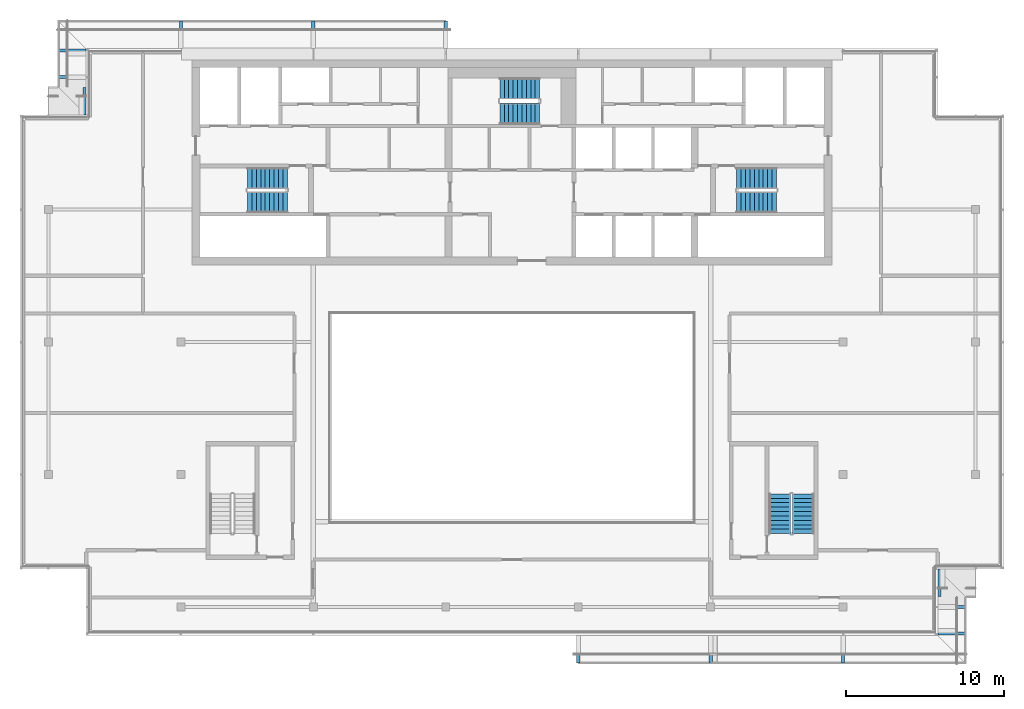
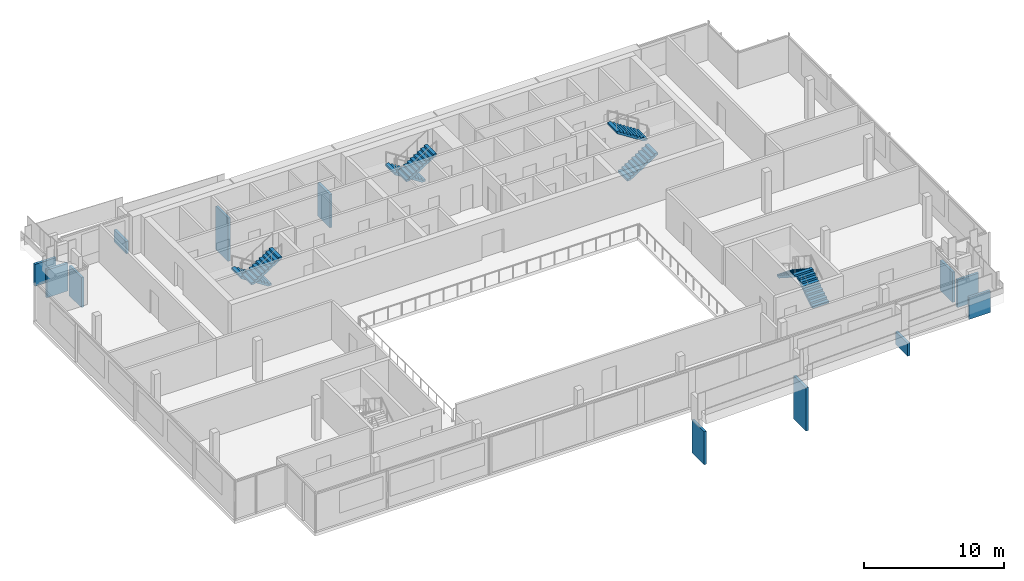
# One storey, part 16 of 21: 12 discrete accessories, 8 stair flights, 4 elements without a shape of their own.
"""IFC4 building model written with IfcOpenShell, lengths in metres."""

import ifcopenshell
import ifcopenshell.guid

model = None  # the IFC model being written
_history = None  # IfcOwnerHistory: only IFC2X3 demands one
_inside = {}  # id of a spatial element -> (the spatial element, [elements in it])
_under = {}  # id of a project, library or spatial element -> (it, [spatial elements below it])
_declared = {}  # id of a project -> (the project, [libraries it declares])
_typed = {}  # id of a type object -> (the type object, [elements of that type])
_made_of = {}  # id of a material, layer set ... -> (it, [elements and type objects made of it])


def new_model(schema):
    """Start an empty IFC model of exactly this schema.

    Asked for "IFC4X3", IfcOpenShell would pick the latest addendum, in which some entities
    have other attributes; the version numbers below select the first issue.
    IFC2X3 requires an IfcOwnerHistory on every rooted entity: one is made here for all.
    """
    global model, _history
    if schema == "IFC4X3":
        model = ifcopenshell.file(schema_version=(4, 3, 0, 0))
    else:
        model = ifcopenshell.file(schema=schema)
    _inside.clear()
    _under.clear()
    _declared.clear()
    _typed.clear()
    _made_of.clear()
    _history = None
    if model.schema == "IFC2X3":
        org = make("IfcOrganization", Name="unknown")
        user = make(
            "IfcPersonAndOrganization",
            ThePerson=make("IfcPerson", FamilyName="unknown"),
            TheOrganization=org,
        )
        app = make(
            "IfcApplication",
            ApplicationDeveloper=org,
            Version="unknown",
            ApplicationFullName="unknown",
            ApplicationIdentifier="unknown",
        )
        _history = make(
            "IfcOwnerHistory",
            OwningUser=user,
            OwningApplication=app,
            ChangeAction="ADDED",
            CreationDate=0,
        )
    return model


def make(cls, **values):
    """One entity of the class cls with the attributes given. An attribute that is None is left unset."""
    return model.create_entity(
        cls, **{name: value for name, value in values.items() if value is not None}
    )


def rooted(cls, **values):
    """An entity with a GlobalId (a new one), such as an element, a storey or a relation."""
    return make(cls, GlobalId=ifcopenshell.guid.new(), OwnerHistory=_history, **values)


def si_unit(unit_type, name, prefix=None):
    """IfcSIUnit, for example si_unit("LENGTHUNIT", "METRE", prefix="MILLI")."""
    return make("IfcSIUnit", UnitType=unit_type, Prefix=prefix, Name=name)


def assignment(units):
    """IfcUnitAssignment: the units of a project."""
    return None if units is None else make("IfcUnitAssignment", Units=units)


def point(xyz):
    """IfcCartesianPoint."""
    return None if xyz is None else make("IfcCartesianPoint", Coordinates=xyz)


def direction(xyz):
    """IfcDirection."""
    return None if xyz is None else make("IfcDirection", DirectionRatios=xyz)


def frame(location, z_axis=None, x_axis=None):
    """IfcAxis2Placement3D, a coordinate frame: its origin and axes. An axis left out is left unset."""
    return make(
        "IfcAxis2Placement3D",
        Location=point(location),
        Axis=direction(z_axis),
        RefDirection=direction(x_axis),
    )


def frame_2d(location, x_axis=None):
    """IfcAxis2Placement2D, a coordinate frame in the plane: its origin and x axis."""
    return make(
        "IfcAxis2Placement2D", Location=point(location), RefDirection=direction(x_axis)
    )


def origin():
    """The frame at (0, 0, 0) with its axes left unset."""
    return frame((0.0, 0.0, 0.0))


def origin_2d():
    """The frame at (0, 0) in the plane with its x axis left unset."""
    return frame_2d((0.0, 0.0))


def place(relative_to, where):
    """IfcLocalPlacement: puts the frame where relative to a parent placement (None: the world)."""
    return make(
        "IfcLocalPlacement", PlacementRelTo=relative_to, RelativePlacement=where
    )


def context(
    kind, dimensions, precision=None, world=None, true_north=None, identifier=None
):
    """IfcGeometricRepresentationContext, for example the 3D "Model" context."""
    return make(
        "IfcGeometricRepresentationContext",
        ContextIdentifier=identifier,
        ContextType=kind,
        CoordinateSpaceDimension=dimensions,
        Precision=precision,
        WorldCoordinateSystem=world,
        TrueNorth=true_north,
    )


def subcontext(parent, identifier, kind, view, scale=None):
    """IfcGeometricRepresentationSubContext, for example "Body" below "Model"."""
    return make(
        "IfcGeometricRepresentationSubContext",
        ContextIdentifier=identifier,
        ContextType=kind,
        ParentContext=parent,
        TargetScale=scale,
        TargetView=view,
    )


def project(units=None, contexts=None):
    """IfcProject with its units and contexts."""
    return rooted(
        "IfcProject",
        Name="project",
        RepresentationContexts=contexts,
        UnitsInContext=assignment(units),
    )


def spatial(cls, under=None, at=None, **own):
    """A site, building, storey or space (cls), placed at a placement, below another one or the project."""
    s = rooted(cls, ObjectPlacement=at, **own)
    if under is not None:
        _under.setdefault(under.id(), (under, []))[1].append(s)
    return s


def polyline(points):
    """IfcPolyline through the points."""
    return make("IfcPolyline", Points=[point(p) for p in points])


def profile(cls, at=None, kind="AREA", **sizes):
    """A parametric profile (cls). Its sizes go by their IFC names, for example OverallWidth=200.0."""
    return make(cls, ProfileType=kind, Position=at, **sizes)


def rectangle(**sizes):
    """IfcRectangleProfileDef."""
    return profile("IfcRectangleProfileDef", **sizes)


def outline(outer, holes=None, kind="AREA"):
    """IfcArbitraryClosedProfileDef: a profile drawn as a closed curve; with holes, ...WithVoids."""
    if holes is None:
        return make("IfcArbitraryClosedProfileDef", ProfileType=kind, OuterCurve=outer)
    return make(
        "IfcArbitraryProfileDefWithVoids",
        ProfileType=kind,
        OuterCurve=outer,
        InnerCurves=holes,
    )


def extrude(swept, where, along, depth):
    """IfcExtrudedAreaSolid: the profile swept, set in the frame where, extruded along a direction by depth."""
    return make(
        "IfcExtrudedAreaSolid",
        SweptArea=swept,
        Position=where,
        ExtrudedDirection=direction(along),
        Depth=depth,
    )


def shape(context_of_items, identifier, shape_type, items):
    """IfcShapeRepresentation: the items that make up one representation, for example the "Body"."""
    return make(
        "IfcShapeRepresentation",
        ContextOfItems=context_of_items,
        RepresentationIdentifier=identifier,
        RepresentationType=shape_type,
        Items=items,
    )


def material(Name=None, Category=None):
    """IfcMaterial."""
    return make("IfcMaterial", Name=Name, Category=Category)


def made_of(thing, what):
    """Note that an element or type object is made of a material, layer set ...; save() writes the relation."""
    if what is not None:
        _made_of.setdefault(what.id(), (what, []))[1].append(thing)
    return thing


def type_object(cls, material=None, **own):
    """A type object (cls), such as IfcWallType, which elements share."""
    return made_of(rooted(cls, **own), material)


def element(
    cls,
    number,
    at=None,
    inside=None,
    cuts=None,
    type_object=None,
    material=None,
    context=None,
    identifier="Body",
    shape_type=None,
    held_by="IfcProductDefinitionShape",
    body=None,
    shapes=None,
    **own,
):
    """One element of the class cls, such as IfcWall. Its Tag is "e" and its number.

    at: its placement. inside: the storey or other place that contains it. cuts: it is an
    opening in that element (IfcRelVoidsElement). A single representation is given by context,
    identifier, shape_type and body (its items); several are given by shapes. held_by: the class
    of the entity that holds the representations. save() writes the other relations.
    """
    e = rooted(cls, Tag="e%d" % number, ObjectPlacement=at, **own)
    if body is not None:
        shapes = [shape(context, identifier, shape_type, body)]
    if shapes is not None:
        e.Representation = make(held_by, Representations=shapes)
    if inside is not None:
        _inside.setdefault(inside.id(), (inside, []))[1].append(e)
    if cuts is not None:
        rooted(
            "IfcRelVoidsElement", RelatingBuildingElement=cuts, RelatedOpeningElement=e
        )
    if type_object is not None:
        _typed.setdefault(type_object.id(), (type_object, []))[1].append(e)
    return made_of(e, material)


def aggregate(whole, parts):
    """IfcRelAggregates: a whole, such as a stair, and the parts it consists of."""
    return rooted("IfcRelAggregates", RelatingObject=whole, RelatedObjects=parts)


def save(model, path):
    """Write the relations noted so far, then the file.

    IfcRelAggregates (storeys below a building ...), IfcRelContainedInSpatialStructure (elements
    in a storey), IfcRelDefinesByType, IfcRelAssociatesMaterial and IfcRelDeclares: one each for
    every whole, place, type object, material and project.
    """
    for whole, parts in _under.values():
        aggregate(whole, parts)
    for where, things in _inside.values():
        rooted(
            "IfcRelContainedInSpatialStructure",
            RelatedElements=things,
            RelatingStructure=where,
        )
    for kind, things in _typed.values():
        rooted("IfcRelDefinesByType", RelatedObjects=things, RelatingType=kind)
    for what, things in _made_of.values():
        rooted("IfcRelAssociatesMaterial", RelatedObjects=things, RelatingMaterial=what)
    for by, libraries in _declared.values():
        rooted("IfcRelDeclares", RelatingContext=by, RelatedDefinitions=libraries)
    model.write(path)


model = new_model("IFC4")

# Units and contexts
model_context = context("Model", 3, precision=1e-05, world=origin(), true_north=direction((0.0, 1.0)))
body_context = subcontext(model_context, "Body", "Model", "MODEL_VIEW")
ifc_project = project(units=[si_unit("LENGTHUNIT", "METRE"), si_unit("AREAUNIT", "SQUARE_METRE"), si_unit("VOLUMEUNIT", "CUBIC_METRE"), si_unit("PLANEANGLEUNIT", "RADIAN"), si_unit("MASSUNIT", "GRAM", prefix="KILO")], contexts=[model_context])

# Site, building, storey
site_placement = place(None, origin())
site = spatial("IfcSite", under=ifc_project, at=site_placement, CompositionType="ELEMENT")
building_placement = place(site_placement, origin())
building = spatial("IfcBuilding", under=site, at=building_placement, Name="Saffron Gate Tower", CompositionType="ELEMENT")
storey_placement = place(building_placement, frame((0.0, 0.0, 299.550048828125)))
storey = spatial("IfcBuildingStorey", under=building, at=storey_placement, Name="L73", CompositionType="ELEMENT", Elevation=299.550048828125)

# Stair, stair flights
ifc_material = material(Name="Concrete C40", Category="concrete")
stair_type = type_object("IfcStairType", Name="ST7 Stair 1350 wide, 20 risers of 180", PredefinedType="HALF_TURN_STAIR", material=ifc_material)
stair_1_placement = place(storey_placement, origin())
stair_1 = element("IfcStair", 1, at=stair_1_placement, inside=storey, type_object=stair_type, Name="L73 Exit stair A", PredefinedType="HALF_TURN_STAIR")
stair_flight_type = type_object("IfcStairFlightType", Name="SF3 Stair flight 1350 wide, riser 180 going 280", PredefinedType="STRAIGHT", material=ifc_material)
stair_flight_1_placement = place(storey_placement, frame((73.35009765625, 67.375, 0.0), z_axis=(0.0, 0.0, 1.0), x_axis=(-1.0, 0.0, 0.0)))
stair_flight_1 = element("IfcStairFlight", 2, at=stair_flight_1_placement, type_object=stair_flight_type, Name="ST-A flight 1", NumberOfRisers=10, NumberOfTreads=9, PredefinedType="STRAIGHT", RiserHeight=0.18, TreadLength=0.28, context=body_context, shape_type="SweptSolid", body=[
    extrude(outline(polyline([(0.0, 0.0), (0.0, 0.179931640625), (0.280029296875, 0.179931640625), (0.280029296875, 0.360107421875), (0.56005859375, 0.360107421875), (0.56005859375, 0.5400390625), (0.840087890625, 0.5400390625), (0.840087890625, 0.719970703125), (1.1201171875, 0.719970703125), (1.1201171875, 0.89990234375), (1.39990234375, 0.89990234375), (1.39990234375, 1.080078125), (1.679931640625, 1.080078125), (1.679931640625, 1.260009765625), (1.9599609375, 1.260009765625), (1.9599609375, 1.43994140625), (2.239990234375, 1.43994140625), (2.239990234375, 1.6201171875), (2.52001953125, 1.6201171875), (2.52001953125, 1.800048828125), (2.52001953125, 1.44189453125), (0.277099609375, 0.0), (0.0, 0.0)])), frame((0.0, 0.675048828125, 0.0), z_axis=(0.0, -1.0, 0.0), x_axis=(1.0, 0.0, 0.0)), (0.0, 0.0, 1.0), 1.35009765625),
])
stair_flight_2_placement = place(storey_placement, frame((70.830078125, 65.875, 1.800048828125), z_axis=(0.0, 0.0, 1.0), x_axis=(1.0, 0.0, 0.0)))
stair_flight_2 = element("IfcStairFlight", 3, at=stair_flight_2_placement, type_object=stair_flight_type, Name="ST-A flight 2", NumberOfRisers=10, NumberOfTreads=9, PredefinedType="STRAIGHT", RiserHeight=0.18, TreadLength=0.28, context=body_context, shape_type="SweptSolid", body=[
    extrude(outline(polyline([(0.0, 0.0), (0.0, 0.179931640625), (0.280029296875, 0.179931640625), (0.280029296875, 0.360107421875), (0.56005859375, 0.360107421875), (0.56005859375, 0.5400390625), (0.840087890625, 0.5400390625), (0.840087890625, 0.719970703125), (1.1201171875, 0.719970703125), (1.1201171875, 0.89990234375), (1.39990234375, 0.89990234375), (1.39990234375, 1.080078125), (1.679931640625, 1.080078125), (1.679931640625, 1.260009765625), (1.9599609375, 1.260009765625), (1.9599609375, 1.43994140625), (2.239990234375, 1.43994140625), (2.239990234375, 1.6201171875), (2.52001953125, 1.6201171875), (2.52001953125, 1.800048828125), (2.52001953125, 1.44189453125), (0.277099609375, 0.0), (0.0, 0.0)])), frame((0.0, 0.675048828125, 0.0), z_axis=(0.0, -1.0, 0.0), x_axis=(1.0, 0.0, 0.0)), (0.0, 0.0, 1.0), 1.35009765625),
])
aggregate(stair_1, [stair_flight_1, stair_flight_2])

stair_2_placement = place(storey_placement, origin())
stair_2 = element("IfcStair", 4, at=stair_2_placement, inside=storey, type_object=stair_type, Name="L73 Exit stair B", PredefinedType="HALF_TURN_STAIR")
stair_flight_3_placement = place(storey_placement, frame((101.85009765625, 65.875, 0.0), z_axis=(0.0, 0.0, 1.0), x_axis=(1.0, 0.0, 0.0)))
stair_flight_3 = element("IfcStairFlight", 5, at=stair_flight_3_placement, type_object=stair_flight_type, Name="ST-B flight 1", NumberOfRisers=10, NumberOfTreads=9, PredefinedType="STRAIGHT", RiserHeight=0.18, TreadLength=0.28, context=body_context, shape_type="SweptSolid", body=[
    extrude(outline(polyline([(0.0, 0.0), (0.0, 0.179931640625), (0.280029296875, 0.179931640625), (0.280029296875, 0.360107421875), (0.56005859375, 0.360107421875), (0.56005859375, 0.5400390625), (0.840087890625, 0.5400390625), (0.840087890625, 0.719970703125), (1.1201171875, 0.719970703125), (1.1201171875, 0.89990234375), (1.39990234375, 0.89990234375), (1.39990234375, 1.080078125), (1.679931640625, 1.080078125), (1.679931640625, 1.260009765625), (1.9599609375, 1.260009765625), (1.9599609375, 1.43994140625), (2.239990234375, 1.43994140625), (2.239990234375, 1.6201171875), (2.52001953125, 1.6201171875), (2.52001953125, 1.800048828125), (2.52001953125, 1.44189453125), (0.277099609375, 0.0), (0.0, 0.0)])), frame((0.0, 0.675048828125, 0.0), z_axis=(0.0, -1.0, 0.0), x_axis=(1.0, 0.0, 0.0)), (0.0, 0.0, 1.0), 1.35009765625),
])
stair_flight_4_placement = place(storey_placement, frame((104.3701171875, 67.375, 1.800048828125), z_axis=(0.0, 0.0, 1.0), x_axis=(-1.0, 0.0, 0.0)))
stair_flight_4 = element("IfcStairFlight", 6, at=stair_flight_4_placement, type_object=stair_flight_type, Name="ST-B flight 2", NumberOfRisers=10, NumberOfTreads=9, PredefinedType="STRAIGHT", RiserHeight=0.18, TreadLength=0.28, context=body_context, shape_type="SweptSolid", body=[
    extrude(outline(polyline([(0.0, 0.0), (0.0, 0.179931640625), (0.280029296875, 0.179931640625), (0.280029296875, 0.360107421875), (0.56005859375, 0.360107421875), (0.56005859375, 0.5400390625), (0.840087890625, 0.5400390625), (0.840087890625, 0.719970703125), (1.1201171875, 0.719970703125), (1.1201171875, 0.89990234375), (1.39990234375, 0.89990234375), (1.39990234375, 1.080078125), (1.679931640625, 1.080078125), (1.679931640625, 1.260009765625), (1.9599609375, 1.260009765625), (1.9599609375, 1.43994140625), (2.239990234375, 1.43994140625), (2.239990234375, 1.6201171875), (2.52001953125, 1.6201171875), (2.52001953125, 1.800048828125), (2.52001953125, 1.44189453125), (0.277099609375, 0.0), (0.0, 0.0)])), frame((0.0, 0.675048828125, 0.0), z_axis=(0.0, -1.0, 0.0), x_axis=(1.0, 0.0, 0.0)), (0.0, 0.0, 1.0), 1.35009765625),
])
aggregate(stair_2, [stair_flight_3, stair_flight_4])

stair_3_placement = place(storey_placement, origin())
stair_3 = element("IfcStair", 7, at=stair_3_placement, inside=storey, type_object=stair_type, Name="L73 Exit stair C", PredefinedType="HALF_TURN_STAIR")
stair_flight_5_placement = place(storey_placement, frame((89.35009765625, 73.074951171875, 0.0), z_axis=(0.0, 0.0, 1.0), x_axis=(-1.0, 0.0, 0.0)))
stair_flight_5 = element("IfcStairFlight", 8, at=stair_flight_5_placement, type_object=stair_flight_type, Name="ST-C flight 1", NumberOfRisers=10, NumberOfTreads=9, PredefinedType="STRAIGHT", RiserHeight=0.18, TreadLength=0.28, context=body_context, shape_type="SweptSolid", body=[
    extrude(outline(polyline([(0.0, 0.0), (0.0, 0.179931640625), (0.280029296875, 0.179931640625), (0.280029296875, 0.360107421875), (0.56005859375, 0.360107421875), (0.56005859375, 0.5400390625), (0.840087890625, 0.5400390625), (0.840087890625, 0.719970703125), (1.1201171875, 0.719970703125), (1.1201171875, 0.89990234375), (1.39990234375, 0.89990234375), (1.39990234375, 1.080078125), (1.679931640625, 1.080078125), (1.679931640625, 1.260009765625), (1.9599609375, 1.260009765625), (1.9599609375, 1.43994140625), (2.239990234375, 1.43994140625), (2.239990234375, 1.6201171875), (2.52001953125, 1.6201171875), (2.52001953125, 1.800048828125), (2.52001953125, 1.44189453125), (0.277099609375, 0.0), (0.0, 0.0)])), frame((0.0, 0.675048828125, 0.0), z_axis=(0.0, -1.0, 0.0), x_axis=(1.0, 0.0, 0.0)), (0.0, 0.0, 1.0), 1.35009765625),
])
stair_flight_6_placement = place(storey_placement, frame((86.830078125, 71.47509765625, 1.800048828125), z_axis=(0.0, 0.0, 1.0), x_axis=(1.0, 0.0, 0.0)))
stair_flight_6 = element("IfcStairFlight", 9, at=stair_flight_6_placement, type_object=stair_flight_type, Name="ST-C flight 2", NumberOfRisers=10, NumberOfTreads=9, PredefinedType="STRAIGHT", RiserHeight=0.18, TreadLength=0.28, context=body_context, shape_type="SweptSolid", body=[
    extrude(outline(polyline([(0.0, 0.0), (0.0, 0.179931640625), (0.280029296875, 0.179931640625), (0.280029296875, 0.360107421875), (0.56005859375, 0.360107421875), (0.56005859375, 0.5400390625), (0.840087890625, 0.5400390625), (0.840087890625, 0.719970703125), (1.1201171875, 0.719970703125), (1.1201171875, 0.89990234375), (1.39990234375, 0.89990234375), (1.39990234375, 1.080078125), (1.679931640625, 1.080078125), (1.679931640625, 1.260009765625), (1.9599609375, 1.260009765625), (1.9599609375, 1.43994140625), (2.239990234375, 1.43994140625), (2.239990234375, 1.6201171875), (2.52001953125, 1.6201171875), (2.52001953125, 1.800048828125), (2.52001953125, 1.44189453125), (0.277099609375, 0.0), (0.0, 0.0)])), frame((0.0, 0.675048828125, 0.0), z_axis=(0.0, -1.0, 0.0), x_axis=(1.0, 0.0, 0.0)), (0.0, 0.0, 1.0), 1.35009765625),
])
aggregate(stair_3, [stair_flight_5, stair_flight_6])

stair_4_placement = place(storey_placement, origin())
stair_4 = element("IfcStair", 10, at=stair_4_placement, inside=storey, type_object=stair_type, Name="L73 Exit stair E", PredefinedType="HALF_TURN_STAIR")
stair_flight_7_placement = place(storey_placement, frame((106.074951171875, 44.85009765625, 0.0), z_axis=(0.0, 0.0, 1.0), x_axis=(0.0, 1.0, 0.0)))
stair_flight_7 = element("IfcStairFlight", 11, at=stair_flight_7_placement, type_object=stair_flight_type, Name="ST-E flight 1", NumberOfRisers=10, NumberOfTreads=9, PredefinedType="STRAIGHT", RiserHeight=0.18, TreadLength=0.28, context=body_context, shape_type="SweptSolid", body=[
    extrude(outline(polyline([(0.0, 0.0), (0.0, 0.179931640625), (0.280029296875, 0.179931640625), (0.280029296875, 0.360107421875), (0.56005859375, 0.360107421875), (0.56005859375, 0.5400390625), (0.840087890625, 0.5400390625), (0.840087890625, 0.719970703125), (1.1201171875, 0.719970703125), (1.1201171875, 0.89990234375), (1.39990234375, 0.89990234375), (1.39990234375, 1.080078125), (1.679931640625, 1.080078125), (1.679931640625, 1.260009765625), (1.9599609375, 1.260009765625), (1.9599609375, 1.43994140625), (2.239990234375, 1.43994140625), (2.239990234375, 1.6201171875), (2.52001953125, 1.6201171875), (2.52001953125, 1.800048828125), (2.52001953125, 1.44189453125), (0.277099609375, 0.0), (0.0, 0.0)])), frame((0.0, 0.675048828125, 0.0), z_axis=(0.0, -1.0, 0.0), x_axis=(1.0, 0.0, 0.0)), (0.0, 0.0, 1.0), 1.35009765625),
])
stair_flight_8_placement = place(storey_placement, frame((104.574951171875, 47.3701171875, 1.800048828125), z_axis=(0.0, 0.0, 1.0), x_axis=(0.0, -1.0, 0.0)))
stair_flight_8 = element("IfcStairFlight", 12, at=stair_flight_8_placement, type_object=stair_flight_type, Name="ST-E flight 2", NumberOfRisers=10, NumberOfTreads=9, PredefinedType="STRAIGHT", RiserHeight=0.18, TreadLength=0.28, context=body_context, shape_type="SweptSolid", body=[
    extrude(outline(polyline([(0.0, 0.0), (0.0, 0.179931640625), (0.280029296875, 0.179931640625), (0.280029296875, 0.360107421875), (0.56005859375, 0.360107421875), (0.56005859375, 0.5400390625), (0.840087890625, 0.5400390625), (0.840087890625, 0.719970703125), (1.1201171875, 0.719970703125), (1.1201171875, 0.89990234375), (1.39990234375, 0.89990234375), (1.39990234375, 1.080078125), (1.679931640625, 1.080078125), (1.679931640625, 1.260009765625), (1.9599609375, 1.260009765625), (1.9599609375, 1.43994140625), (2.239990234375, 1.43994140625), (2.239990234375, 1.6201171875), (2.52001953125, 1.6201171875), (2.52001953125, 1.800048828125), (2.52001953125, 1.44189453125), (0.277099609375, 0.0), (0.0, 0.0)])), frame((0.0, 0.675048828125, 0.0), z_axis=(0.0, -1.0, 0.0), x_axis=(1.0, 0.0, 0.0)), (0.0, 0.0, 1.0), 1.35009765625),
])
aggregate(stair_4, [stair_flight_7, stair_flight_8])

# Discrete accessories
discrete_accessory_1_placement = place(storey_placement, frame((83.39990234375, 76.47509765625, -3.8798828125), z_axis=(0.0, 0.0, 1.0), x_axis=(-1.0, 0.0, 0.0)))
element("IfcDiscreteAccessory", 13, at=discrete_accessory_1_placement, inside=storey, Name="LEDGE rib", PredefinedType="BRACKET", context=body_context, shape_type="SweptSolid", body=[
    extrude(rectangle(XDim=0.199951171875, YDim=1.75, at=origin_2d()), origin(), (0.0, 0.0, 1.0), 2.884033203125),
])
discrete_accessory_2_placement = place(storey_placement, frame((75.0, 76.47509765625, -3.8798828125), z_axis=(0.0, 0.0, 1.0), x_axis=(-1.0, 0.0, 0.0)))
element("IfcDiscreteAccessory", 14, at=discrete_accessory_2_placement, inside=storey, Name="LEDGE rib", PredefinedType="BRACKET", context=body_context, shape_type="SweptSolid", body=[
    extrude(rectangle(XDim=0.199951171875, YDim=1.75, at=origin_2d()), origin(), (0.0, 0.0, 1.0), 3.780517578125),
])
discrete_accessory_3_placement = place(storey_placement, frame((66.60009765625, 76.47509765625, -0.27978515625), z_axis=(0.0, 0.0, 1.0), x_axis=(-1.0, 0.0, 0.0)))
element("IfcDiscreteAccessory", 15, at=discrete_accessory_3_placement, inside=storey, Name="LEDGE rib", PredefinedType="BRACKET", context=body_context, shape_type="SweptSolid", body=[
    extrude(rectangle(XDim=0.199951171875, YDim=1.75, at=origin_2d()), origin(), (0.0, 0.0, 1.0), 1.076904296875),
])
discrete_accessory_4_placement = place(storey_placement, frame((59.72509765625, 75.47998046875, -0.280029296875), z_axis=(0.0, 0.0, 1.0), x_axis=(0.0, -1.0, 0.0)))
element("IfcDiscreteAccessory", 16, at=discrete_accessory_4_placement, inside=storey, Name="LEDGE rib", PredefinedType="BRACKET", context=body_context, shape_type="SweptSolid", body=[
    extrude(rectangle(XDim=0.199951171875, YDim=1.75, at=origin_2d()), origin(), (0.0, 0.0, 1.0), 1.904296875),
])
discrete_accessory_5_placement = place(storey_placement, frame((59.72509765625, 73.800048828125, -0.2802734375), z_axis=(0.0, 0.0, 1.0), x_axis=(0.0, -1.0, 0.0)))
element("IfcDiscreteAccessory", 17, at=discrete_accessory_5_placement, inside=storey, Name="LEDGE rib", PredefinedType="BRACKET", context=body_context, shape_type="SweptSolid", body=[
    extrude(rectangle(XDim=0.199951171875, YDim=1.75, at=origin_2d()), origin(), (0.0, 0.0, 1.0), 2.423583984375),
])
discrete_accessory_6_placement = place(storey_placement, frame((60.47998046875, 72.27490234375, -0.2802734375), z_axis=(0.0, 0.0, 1.0), x_axis=(-1.0, 0.0, 0.0)))
element("IfcDiscreteAccessory", 18, at=discrete_accessory_6_placement, inside=storey, Name="LEDGE rib", PredefinedType="BRACKET", context=body_context, shape_type="SweptSolid", body=[
    extrude(rectangle(XDim=0.199951171875, YDim=1.75, at=origin_2d()), origin(), (0.0, 0.0, 1.0), 2.633056640625),
])
discrete_accessory_7_placement = place(storey_placement, frame((91.800048828125, 37.52490234375, -3.8798828125), z_axis=(0.0, 0.0, 1.0), x_axis=(1.0, 0.0, 0.0)))
element("IfcDiscreteAccessory", 19, at=discrete_accessory_7_placement, inside=storey, Name="LEDGE rib", PredefinedType="BRACKET", context=body_context, shape_type="SweptSolid", body=[
    extrude(rectangle(XDim=0.199951171875, YDim=1.75, at=origin_2d()), origin(), (0.0, 0.0, 1.0), 2.884033203125),
])
discrete_accessory_8_placement = place(storey_placement, frame((100.199951171875, 37.52490234375, -3.8798828125), z_axis=(0.0, 0.0, 1.0), x_axis=(1.0, 0.0, 0.0)))
element("IfcDiscreteAccessory", 20, at=discrete_accessory_8_placement, inside=storey, Name="LEDGE rib", PredefinedType="BRACKET", context=body_context, shape_type="SweptSolid", body=[
    extrude(rectangle(XDim=0.199951171875, YDim=1.75, at=origin_2d()), origin(), (0.0, 0.0, 1.0), 3.780517578125),
])
discrete_accessory_9_placement = place(storey_placement, frame((108.60009765625, 37.52490234375, -0.2802734375), z_axis=(0.0, 0.0, 1.0), x_axis=(1.0, 0.0, 0.0)))
element("IfcDiscreteAccessory", 21, at=discrete_accessory_9_placement, inside=storey, Name="LEDGE rib", PredefinedType="BRACKET", context=body_context, shape_type="SweptSolid", body=[
    extrude(rectangle(XDim=0.199951171875, YDim=1.75, at=origin_2d()), origin(), (0.0, 0.0, 1.0), 1.108154296875),
])
discrete_accessory_10_placement = place(storey_placement, frame((115.47509765625, 38.52001953125, -0.280029296875), z_axis=(0.0, 0.0, 1.0), x_axis=(0.0, 1.0, 0.0)))
element("IfcDiscreteAccessory", 22, at=discrete_accessory_10_placement, inside=storey, Name="LEDGE rib", PredefinedType="BRACKET", context=body_context, shape_type="SweptSolid", body=[
    extrude(rectangle(XDim=0.199951171875, YDim=1.75, at=origin_2d()), origin(), (0.0, 0.0, 1.0), 1.904296875),
])
discrete_accessory_11_placement = place(storey_placement, frame((115.47509765625, 40.199951171875, -0.2802734375), z_axis=(0.0, 0.0, 1.0), x_axis=(0.0, 1.0, 0.0)))
element("IfcDiscreteAccessory", 23, at=discrete_accessory_11_placement, inside=storey, Name="LEDGE rib", PredefinedType="BRACKET", context=body_context, shape_type="SweptSolid", body=[
    extrude(rectangle(XDim=0.199951171875, YDim=1.75, at=origin_2d()), origin(), (0.0, 0.0, 1.0), 2.423583984375),
])
discrete_accessory_12_placement = place(storey_placement, frame((114.719970703125, 41.72509765625, -0.2802734375), z_axis=(0.0, 0.0, 1.0), x_axis=(1.0, 0.0, 0.0)))
element("IfcDiscreteAccessory", 24, at=discrete_accessory_12_placement, inside=storey, Name="LEDGE rib", PredefinedType="BRACKET", context=body_context, shape_type="SweptSolid", body=[
    extrude(rectangle(XDim=0.199951171875, YDim=1.75, at=origin_2d()), origin(), (0.0, 0.0, 1.0), 2.633056640625),
])

save(model, "model.ifc")
